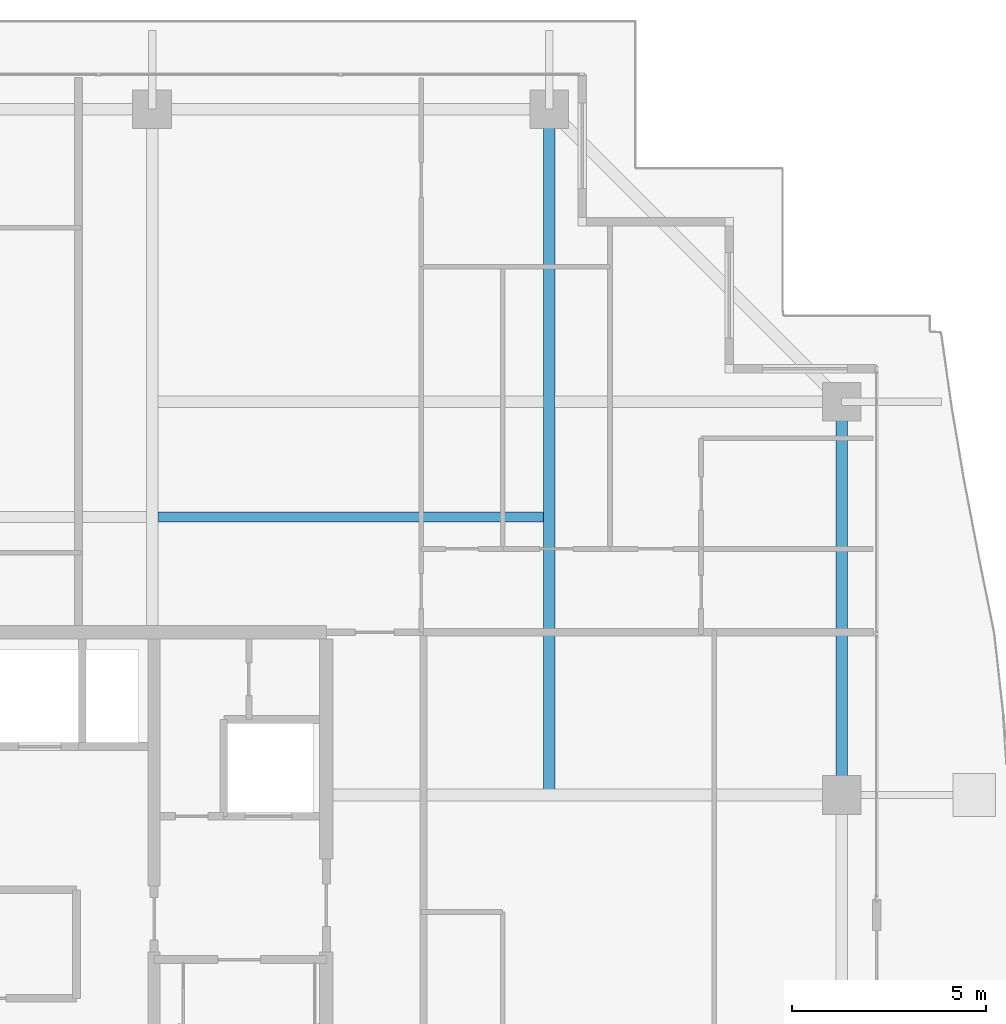
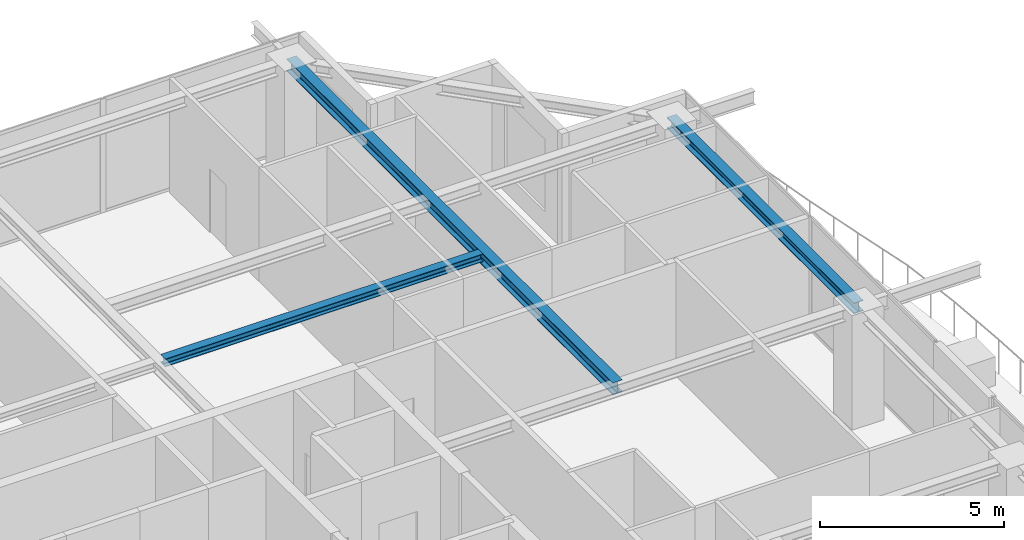
# One storey, part 25 of 42: 3 beams.
"""IFC4 building model written with IfcOpenShell, lengths in metres."""

from ifc_helpers import new_model, si_unit, direction, frame, origin, origin_2d, place, context, subcontext, project, spatial, i_section, extrude, source, transform, mapped, material, material_profile, profile_set, type_object, element, save


model = new_model("IFC4")

# Units and contexts
model_context = context("Model", 3, precision=1e-05, world=origin(), true_north=direction((0.0, 1.0)))
body_context = subcontext(model_context, "Body", "Model", "MODEL_VIEW")
ifc_project = project(units=[si_unit("LENGTHUNIT", "METRE"), si_unit("AREAUNIT", "SQUARE_METRE"), si_unit("VOLUMEUNIT", "CUBIC_METRE"), si_unit("PLANEANGLEUNIT", "RADIAN"), si_unit("MASSUNIT", "GRAM", prefix="KILO")], contexts=[model_context])

# Site, building, storey
site_placement = place(None, origin())
site = spatial("IfcSite", under=ifc_project, at=site_placement, CompositionType="ELEMENT")
building_placement = place(site_placement, origin())
building = spatial("IfcBuilding", under=site, at=building_placement, Name="Serunith Strait Residences", CompositionType="ELEMENT")
storey_placement = place(building_placement, frame((0.0, 0.0, 297.5)))
storey = spatial("IfcBuildingStorey", under=building, at=storey_placement, Name="L74", CompositionType="ELEMENT", Elevation=297.5)

# Beams
ifc_material = material(Name="Steel S355J2", Category="steel")
ifc_material_profile_1 = material_profile(ifc_material, i_section(OverallWidth=0.300048828125, OverallDepth=0.39990234375, WebThickness=0.013427734375, FlangeThickness=0.02392578125, FilletRadius=0.027099609375, at=origin_2d()), Name="HEB 400")
ifc_profile_set_1 = profile_set([ifc_material_profile_1], Name="Steel S355J2")
beam_type_1 = type_object("IfcBeamType", Name="BM-HEB400", PredefinedType="BEAM", material=ifc_profile_set_1)
shared_shape_1 = source(origin(), body_context, "Body", "SweptSolid", [
    extrude(i_section(OverallWidth=0.300048828125, OverallDepth=0.39990234375, WebThickness=0.013427734375, FlangeThickness=0.02392578125, FilletRadius=0.027099609375, at=origin_2d()), origin(), (0.0, 0.0, 1.0), 17.7001953125),
])
beam_1_placement = place(storey_placement, frame((47.14990234375, 29.39990234375, 3.5869140625), z_axis=(0.0, 1.0, 0.0), x_axis=(-1.0, 0.0, 0.0)))
element("IfcBeam", 1, at=beam_1_placement, inside=storey, type_object=beam_type_1, Name="L74 Orthogonal Corner Girder TC-N4", PredefinedType="BEAM", context=body_context, shape_type="MappedRepresentation", body=[
    mapped(shared_shape_1, transform((0.0, 0.0, 0.0), scale=1.0)),
])
ifc_material_profile_2 = material_profile(ifc_material, i_section(OverallWidth=0.300048828125, OverallDepth=0.360107421875, WebThickness=0.012451171875, FlangeThickness=0.0224609375, FilletRadius=0.027099609375, at=origin_2d()), Name="HEB 360")
ifc_profile_set_2 = profile_set([ifc_material_profile_2], Name="Steel S355J2")
beam_type_2 = type_object("IfcBeamType", Name="BM-HEB360", PredefinedType="BEAM", material=ifc_profile_set_2)
shared_shape_2 = source(origin(), body_context, "Body", "SweptSolid", [
    extrude(i_section(OverallWidth=0.300048828125, OverallDepth=0.360107421875, WebThickness=0.012451171875, FlangeThickness=0.0224609375, FilletRadius=0.027099609375, at=origin_2d()), origin(), (0.0, 0.0, 1.0), 10.150146484375),
])
beam_2_placement = place(storey_placement, frame((54.699951171875, 29.39990234375, 3.60693359375), z_axis=(0.0, 1.0, 0.0), x_axis=(-1.0, 0.0, 0.0)))
element("IfcBeam", 2, at=beam_2_placement, inside=storey, type_object=beam_type_2, Name="L74 Perimeter Ring Beam 07", PredefinedType="BEAM", context=body_context, shape_type="MappedRepresentation", body=[
    mapped(shared_shape_2, transform((0.0, 0.0, 0.0), scale=1.0)),
])
ifc_material_profile_3 = material_profile(ifc_material, i_section(OverallWidth=0.260009765625, OverallDepth=0.260009765625, WebThickness=0.010009765625, FlangeThickness=0.017578125, FilletRadius=0.02392578125, at=origin_2d()), Name="HEB 260")
ifc_profile_set_3 = profile_set([ifc_material_profile_3], Name="Steel S355J2")
beam_type_3 = type_object("IfcBeamType", Name="BM-HEB260", PredefinedType="JOIST", material=ifc_profile_set_3)
shared_shape_3 = source(origin(), body_context, "Body", "SweptSolid", [
    extrude(i_section(OverallWidth=0.260009765625, OverallDepth=0.260009765625, WebThickness=0.010009765625, FlangeThickness=0.017578125, FilletRadius=0.02392578125, at=origin_2d()), origin(), (0.0, 0.0, 1.0), 9.949951171875),
])
beam_3_placement = place(storey_placement, frame((37.050048828125, 36.574951171875, 3.656982421875), z_axis=(1.0, 0.0, 0.0), x_axis=(0.0, 1.0, 0.0)))
element("IfcBeam", 3, at=beam_3_placement, inside=storey, type_object=beam_type_3, Name="L74 Composite Floor Joist 06", PredefinedType="JOIST", context=body_context, shape_type="MappedRepresentation", body=[
    mapped(shared_shape_3, transform((0.0, 0.0, 0.0), scale=1.0)),
])

save(model, "model.ifc")
